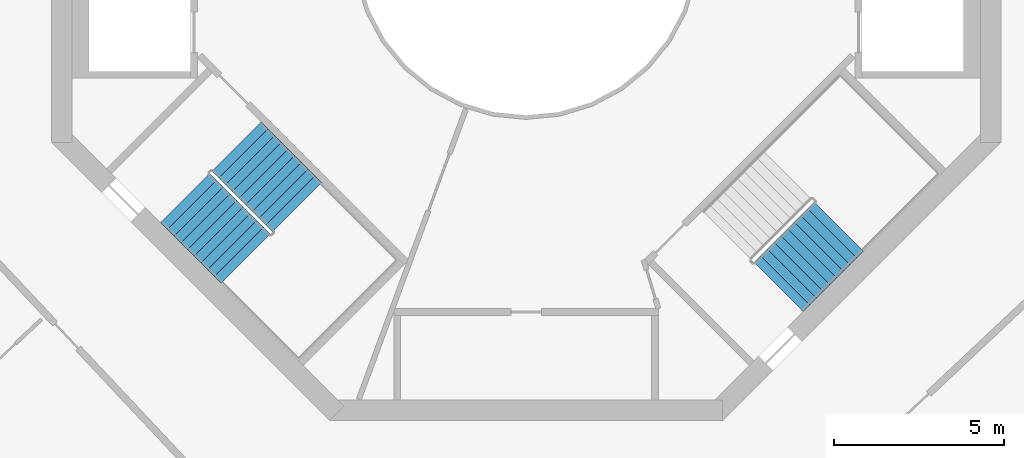
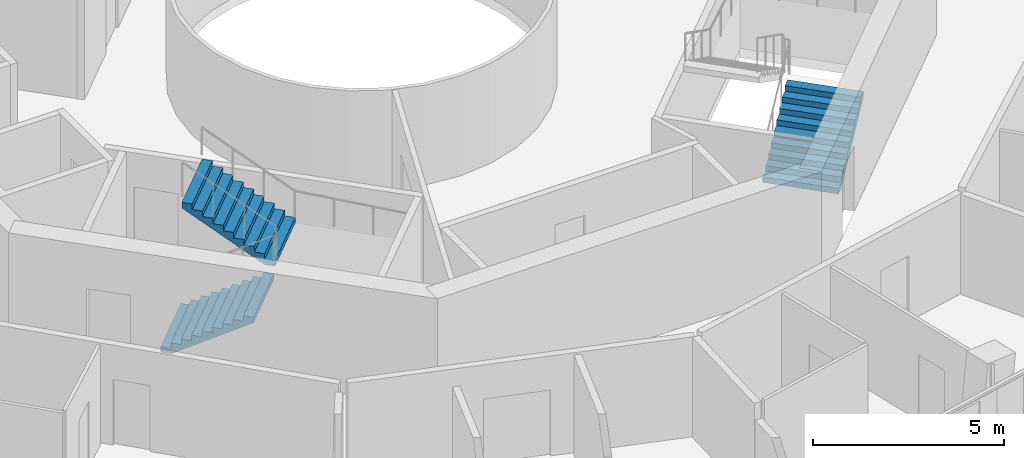
# One storey, part 22 of 24: 3 stair flights, 2 elements without a shape of their own.
"""IFC4 building model written with IfcOpenShell, lengths in metres."""

from ifc_helpers import new_model, si_unit, direction, frame, origin, place, context, subcontext, project, spatial, triangles, material, type_object, element, aggregate, save


model = new_model("IFC4")

# Units and contexts
model_context = context("Model", 3, precision=1e-05, world=origin(), true_north=direction((0.0, 1.0)))
body_context = subcontext(model_context, "Body", "Model", "MODEL_VIEW")
ifc_project = project(units=[si_unit("LENGTHUNIT", "METRE"), si_unit("AREAUNIT", "SQUARE_METRE"), si_unit("VOLUMEUNIT", "CUBIC_METRE"), si_unit("PLANEANGLEUNIT", "RADIAN"), si_unit("MASSUNIT", "GRAM", prefix="KILO")], contexts=[model_context])

# Site, building, storey
site_placement = place(None, origin())
site = spatial("IfcSite", under=ifc_project, at=site_placement, CompositionType="ELEMENT")
building_placement = place(site_placement, origin())
building = spatial("IfcBuilding", under=site, at=building_placement, Name="Verdalira Terraces Hotel", CompositionType="ELEMENT")
storey_placement = place(building_placement, frame((0.0, 0.0, 209.0)))
storey = spatial("IfcBuildingStorey", under=building, at=storey_placement, Name="L51", CompositionType="ELEMENT", Elevation=209.0)

# Stair, stair flights
ifc_material_1 = material(Name="Concrete C40", Category="concrete")
stair_type = type_object("IfcStairType", Name="Core stair 20 risers 2050 mm wide", PredefinedType="HALF_TURN_STAIR", material=ifc_material_1)
stair_1_placement = place(storey_placement, origin())
stair_1 = element("IfcStair", 1, at=stair_1_placement, inside=storey, type_object=stair_type, Name="L51 Exit stair ST2", PredefinedType="HALF_TURN_STAIR")
ifc_material_2 = material(Name="Concrete C40", Category="concrete")
stair_flight_type = type_object("IfcStairFlightType", Name="Core stair flight 20 risers 2050 mm wide", PredefinedType="STRAIGHT", material=ifc_material_2)
stair_flight_1_placement = place(storey_placement, frame((-10.058594, -7.442383, 0.0), z_axis=(0.0, 0.0, 1.0), x_axis=(0.707106781, -0.707106781, 0.0)))
stair_flight_1 = element("IfcStairFlight", 2, at=stair_flight_1_placement, type_object=stair_flight_type, Name="ST2 flight 1", NumberOfRisers=10, NumberOfTreads=9, PredefinedType="STRAIGHT", RiserHeight=0.175, TreadLength=0.28, context=body_context, shape_type="Tessellation", body=[
    triangles([(0.0, 1.025024, 0.0), (0.282715, 1.025024, 0.0), (2.52002, 1.025024, 1.398193), (0.0, -1.025024, 0.0), (0.282715, -1.025024, 0.0), (2.52002, -1.025024, 1.398193), (2.52002, 1.025024, 1.574951), (2.23999, 1.025024, 1.574951), (2.52002, -1.025024, 1.574951), (2.23999, -1.025024, 1.574951), (2.23999, 1.025024, 1.399902), (2.23999, -1.025024, 1.399902), (1.959961, 1.025024, 1.399902), (1.959961, -1.025024, 1.399902), (1.959961, 1.025024, 1.225098), (1.959961, -1.025024, 1.225098), (1.679932, 1.025024, 1.225098), (1.679932, 1.025024, 1.050049), (1.679932, -1.025024, 1.225098), (1.679932, -1.025024, 1.050049), (1.399902, 1.025024, 1.050049), (1.399902, 1.025024, 0.875), (1.399902, -1.025024, 1.050049), (1.399902, -1.025024, 0.875), (1.120117, 1.025024, 0.875), (1.120117, 1.025024, 0.699951), (1.120117, -1.025024, 0.875), (1.120117, -1.025024, 0.699951), (0.840088, 1.025024, 0.699951), (0.840088, 1.025024, 0.524902), (0.840088, -1.025024, 0.699951), (0.840088, -1.025024, 0.524902), (0.560059, 1.025024, 0.524902), (0.560059, 1.025024, 0.350098), (0.560059, -1.025024, 0.524902), (0.560059, -1.025024, 0.350098), (0.280029, 1.025024, 0.350098), (0.280029, 1.025024, 0.175049), (0.280029, -1.025024, 0.350098), (0.280029, -1.025024, 0.175049), (0.0, 1.025024, 0.175049), (0.0, -1.025024, 0.175049), (0.0, -0.96096, 0.0), (0.0, -0.96096, 0.175049), (0.0, -0.896896, 0.0), (0.0, -0.896896, 0.175049), (0.0, -0.832832, 0.0), (0.0, -0.832832, 0.175049), (0.0, -0.768768, 0.0), (0.0, -0.768768, 0.175049), (0.0, -0.704704, 0.0), (0.0, -0.704704, 0.175049), (0.0, -0.64064, 0.0), (0.0, -0.64064, 0.175049), (0.0, -0.576576, 0.0), (0.0, -0.576576, 0.175049), (0.0, -0.512512, 0.0), (0.0, -0.512512, 0.175049), (0.0, -0.448448, 0.0), (0.0, -0.448448, 0.175049), (0.0, -0.384384, 0.0), (0.0, -0.384384, 0.175049), (0.0, -0.32032, 0.0), (0.0, -0.32032, 0.175049), (0.0, -0.256256, 0.0), (0.0, -0.256256, 0.175049), (0.0, -0.192192, 0.0), (0.0, -0.192192, 0.175049), (0.0, -0.128128, 0.0), (0.0, -0.128128, 0.175049), (0.0, -0.064064, 0.0), (0.0, -0.064064, 0.175049), (0.0, 0.0, 0.0), (0.0, 0.0, 0.175049), (0.0, 0.064064, 0.0), (0.0, 0.064064, 0.175049), (0.0, 0.128128, 0.0), (0.0, 0.128128, 0.175049), (0.0, 0.192192, 0.0), (0.0, 0.192192, 0.175049), (0.0, 0.256256, 0.0), (0.0, 0.256256, 0.175049), (0.0, 0.32032, 0.0), (0.0, 0.32032, 0.175049), (0.0, 0.384384, 0.0), (0.0, 0.384384, 0.175049), (0.0, 0.448448, 0.0), (0.0, 0.448448, 0.175049), (0.0, 0.512512, 0.0), (0.0, 0.512512, 0.175049), (0.0, 0.576576, 0.0), (0.0, 0.576576, 0.175049), (0.0, 0.64064, 0.0), (0.0, 0.64064, 0.175049), (0.0, 0.704704, 0.0), (0.0, 0.704704, 0.175049), (0.0, 0.768768, 0.0), (0.0, 0.768768, 0.175049), (0.0, 0.832832, 0.0), (0.0, 0.832832, 0.175049), (0.0, 0.896896, 0.0), (0.0, 0.896896, 0.175049), (0.0, 0.96096, 0.0), (0.0, 0.96096, 0.175049), (2.52002, -0.96096, 1.574951), (2.52002, -0.896896, 1.574951), (2.52002, -0.832832, 1.574951), (2.52002, -0.768768, 1.574951), (2.52002, -0.704704, 1.574951), (2.52002, -0.64064, 1.574951), (2.52002, -0.576576, 1.574951), (2.52002, -0.512512, 1.574951), (2.52002, -0.448448, 1.574951), (2.52002, -0.384384, 1.574951), (2.52002, -0.32032, 1.574951), (2.52002, -0.256256, 1.574951), (2.52002, -0.192192, 1.574951), (2.52002, -0.128128, 1.574951), (2.52002, -0.064064, 1.574951), (2.52002, 0.0, 1.574951), (2.52002, 0.064064, 1.574951), (2.52002, 0.128128, 1.574951), (2.52002, 0.192192, 1.574951), (2.52002, 0.256256, 1.574951), (2.52002, 0.32032, 1.574951), (2.52002, 0.384384, 1.574951), (2.52002, 0.448448, 1.574951), (2.52002, 0.512512, 1.574951), (2.52002, 0.576576, 1.574951), (2.52002, 0.64064, 1.574951), (2.52002, 0.704704, 1.574951), (2.52002, 0.768768, 1.574951), (2.52002, 0.832832, 1.574951), (2.52002, 0.896896, 1.574951), (2.52002, 0.96096, 1.574951), (2.52002, -0.96096, 1.398193), (2.52002, -0.896896, 1.398193), (2.52002, -0.832832, 1.398193), (2.52002, -0.768768, 1.398193), (2.52002, -0.704704, 1.398193), (2.52002, -0.64064, 1.398193), (2.52002, -0.576576, 1.398193), (2.52002, -0.512512, 1.398193), (2.52002, -0.448448, 1.398193), (2.52002, -0.384384, 1.398193), (2.52002, -0.32032, 1.398193), (2.52002, -0.256256, 1.398193), (2.52002, -0.192192, 1.398193), (2.52002, -0.128128, 1.398193), (2.52002, -0.064064, 1.398193), (2.52002, 0.0, 1.398193), (2.52002, 0.064064, 1.398193), (2.52002, 0.128128, 1.398193), (2.52002, 0.192192, 1.398193), (2.52002, 0.256256, 1.398193), (2.52002, 0.32032, 1.398193), (2.52002, 0.384384, 1.398193), (2.52002, 0.448448, 1.398193), (2.52002, 0.512512, 1.398193), (2.52002, 0.576576, 1.398193), (2.52002, 0.64064, 1.398193), (2.52002, 0.704704, 1.398193), (2.52002, 0.768768, 1.398193), (2.52002, 0.832832, 1.398193), (2.52002, 0.896896, 1.398193), (2.52002, 0.96096, 1.398193)], [[1, 3, 2], [4, 5, 6], [3, 8, 7], [6, 9, 10], [3, 11, 8], [6, 10, 12], [3, 13, 11], [6, 12, 14], [3, 15, 13], [6, 14, 16], [15, 18, 17], [16, 19, 20], [3, 18, 15], [6, 16, 20], [18, 22, 21], [20, 23, 24], [3, 22, 18], [6, 20, 24], [22, 26, 25], [24, 27, 28], [3, 26, 22], [6, 24, 28], [26, 30, 29], [28, 31, 32], [3, 30, 26], [6, 28, 32], [1, 30, 3], [4, 6, 32], [30, 34, 33], [32, 35, 36], [34, 38, 37], [36, 39, 40], [30, 38, 34], [32, 36, 40], [1, 38, 30], [4, 32, 40], [38, 1, 41], [40, 42, 4], [4, 44, 43], [4, 42, 44], [43, 46, 45], [43, 44, 46], [45, 48, 47], [45, 46, 48], [47, 50, 49], [47, 48, 50], [49, 52, 51], [49, 50, 52], [51, 54, 53], [51, 52, 54], [53, 56, 55], [53, 54, 56], [55, 58, 57], [55, 56, 58], [57, 60, 59], [57, 58, 60], [59, 62, 61], [59, 60, 62], [61, 64, 63], [61, 62, 64], [63, 66, 65], [63, 64, 66], [65, 68, 67], [65, 66, 68], [67, 70, 69], [67, 68, 70], [69, 72, 71], [69, 70, 72], [71, 74, 73], [71, 72, 74], [73, 76, 75], [73, 74, 76], [75, 78, 77], [75, 76, 78], [77, 80, 79], [77, 78, 80], [79, 82, 81], [79, 80, 82], [81, 84, 83], [81, 82, 84], [83, 86, 85], [83, 84, 86], [85, 88, 87], [85, 86, 88], [87, 90, 89], [87, 88, 90], [89, 92, 91], [89, 90, 92], [91, 94, 93], [91, 92, 94], [93, 96, 95], [93, 94, 96], [95, 98, 97], [95, 96, 98], [97, 100, 99], [97, 98, 100], [99, 102, 101], [99, 100, 102], [101, 104, 103], [101, 102, 104], [103, 41, 1], [103, 104, 41], [42, 40, 44], [44, 40, 46], [46, 40, 48], [48, 40, 50], [50, 40, 52], [52, 40, 54], [54, 40, 56], [56, 40, 58], [58, 40, 60], [60, 40, 62], [62, 40, 64], [64, 40, 66], [66, 40, 68], [68, 40, 70], [70, 40, 72], [72, 40, 74], [74, 40, 76], [76, 40, 78], [78, 40, 80], [80, 40, 82], [82, 40, 84], [84, 40, 86], [86, 40, 88], [88, 40, 90], [90, 40, 92], [92, 40, 94], [94, 40, 96], [96, 40, 98], [98, 40, 100], [100, 40, 102], [102, 40, 104], [104, 40, 41], [41, 40, 38], [40, 37, 38], [40, 39, 37], [39, 34, 37], [39, 36, 34], [36, 33, 34], [36, 35, 33], [35, 30, 33], [35, 32, 30], [32, 29, 30], [32, 31, 29], [31, 26, 29], [31, 28, 26], [28, 25, 26], [28, 27, 25], [27, 22, 25], [27, 24, 22], [24, 21, 22], [24, 23, 21], [23, 18, 21], [23, 20, 18], [20, 17, 18], [20, 19, 17], [19, 15, 17], [19, 16, 15], [16, 13, 15], [16, 14, 13], [14, 11, 13], [14, 12, 11], [12, 8, 11], [12, 10, 8], [9, 105, 10], [105, 106, 10], [106, 107, 10], [107, 108, 10], [108, 109, 10], [109, 110, 10], [110, 111, 10], [111, 112, 10], [112, 113, 10], [113, 114, 10], [114, 115, 10], [115, 116, 10], [116, 117, 10], [117, 118, 10], [118, 119, 10], [119, 120, 10], [120, 121, 10], [121, 122, 10], [122, 123, 10], [123, 124, 10], [124, 125, 10], [125, 126, 10], [126, 127, 10], [127, 128, 10], [128, 129, 10], [129, 130, 10], [130, 131, 10], [131, 132, 10], [132, 133, 10], [133, 134, 10], [134, 135, 10], [135, 7, 10], [7, 8, 10], [9, 136, 105], [9, 6, 136], [105, 137, 106], [105, 136, 137], [106, 138, 107], [106, 137, 138], [107, 139, 108], [107, 138, 139], [108, 140, 109], [108, 139, 140], [109, 141, 110], [109, 140, 141], [110, 142, 111], [110, 141, 142], [111, 143, 112], [111, 142, 143], [112, 144, 113], [112, 143, 144], [113, 145, 114], [113, 144, 145], [114, 146, 115], [114, 145, 146], [115, 147, 116], [115, 146, 147], [116, 148, 117], [116, 147, 148], [117, 149, 118], [117, 148, 149], [118, 150, 119], [118, 149, 150], [119, 151, 120], [119, 150, 151], [120, 152, 121], [120, 151, 152], [121, 153, 122], [121, 152, 153], [122, 154, 123], [122, 153, 154], [123, 155, 124], [123, 154, 155], [124, 156, 125], [124, 155, 156], [125, 157, 126], [125, 156, 157], [126, 158, 127], [126, 157, 158], [127, 159, 128], [127, 158, 159], [128, 160, 129], [128, 159, 160], [129, 161, 130], [129, 160, 161], [130, 162, 131], [130, 161, 162], [131, 163, 132], [131, 162, 163], [132, 164, 133], [132, 163, 164], [133, 165, 134], [133, 164, 165], [134, 166, 135], [134, 165, 166], [135, 3, 7], [135, 166, 3], [6, 5, 136], [136, 5, 137], [137, 5, 138], [138, 5, 139], [139, 5, 140], [140, 5, 141], [141, 5, 142], [142, 5, 143], [143, 5, 144], [144, 5, 145], [145, 5, 146], [146, 5, 147], [147, 5, 148], [148, 5, 149], [149, 5, 150], [150, 5, 151], [151, 5, 152], [152, 5, 153], [153, 5, 154], [154, 5, 155], [155, 5, 156], [156, 5, 157], [157, 5, 158], [158, 5, 159], [159, 5, 160], [160, 5, 161], [161, 5, 162], [162, 5, 163], [163, 5, 164], [164, 5, 165], [165, 5, 166], [166, 5, 3], [3, 5, 2], [4, 43, 5], [43, 45, 5], [45, 47, 5], [47, 49, 5], [49, 51, 5], [51, 53, 5], [53, 55, 5], [55, 57, 5], [57, 59, 5], [59, 61, 5], [61, 63, 5], [63, 65, 5], [65, 67, 5], [67, 69, 5], [69, 71, 5], [71, 73, 5], [73, 75, 5], [75, 77, 5], [77, 79, 5], [79, 81, 5], [81, 83, 5], [83, 85, 5], [85, 87, 5], [87, 89, 5], [89, 91, 5], [91, 93, 5], [93, 95, 5], [95, 97, 5], [97, 99, 5], [99, 101, 5], [101, 103, 5], [103, 1, 5], [1, 2, 5]], closed=True),
])
stair_flight_2_placement = place(storey_placement, frame((-6.756348, -7.703857, 1.75), z_axis=(0.0, 0.0, 1.0), x_axis=(-0.707106781, 0.707106781, 0.0)))
stair_flight_2 = element("IfcStairFlight", 3, at=stair_flight_2_placement, type_object=stair_flight_type, Name="ST2 flight 2", NumberOfRisers=10, NumberOfTreads=9, PredefinedType="STRAIGHT", RiserHeight=0.175, TreadLength=0.28, context=body_context, shape_type="Tessellation", body=[
    triangles([(0.0, 1.025024, 0.0), (0.282715, 1.025024, 0.0), (2.52002, 1.025024, 1.398193), (0.0, -1.025024, 0.0), (0.282715, -1.025024, 0.0), (2.52002, -1.025024, 1.398193), (2.52002, 1.025024, 1.574951), (2.23999, 1.025024, 1.574951), (2.52002, -1.025024, 1.574951), (2.23999, -1.025024, 1.574951), (2.23999, 1.025024, 1.399902), (2.23999, -1.025024, 1.399902), (1.959961, 1.025024, 1.399902), (1.959961, -1.025024, 1.399902), (1.959961, 1.025024, 1.225098), (1.959961, -1.025024, 1.225098), (1.679932, 1.025024, 1.225098), (1.679932, 1.025024, 1.050049), (1.679932, -1.025024, 1.225098), (1.679932, -1.025024, 1.050049), (1.399902, 1.025024, 1.050049), (1.399902, 1.025024, 0.875), (1.399902, -1.025024, 1.050049), (1.399902, -1.025024, 0.875), (1.120117, 1.025024, 0.875), (1.120117, 1.025024, 0.699951), (1.120117, -1.025024, 0.875), (1.120117, -1.025024, 0.699951), (0.840088, 1.025024, 0.699951), (0.840088, 1.025024, 0.524902), (0.840088, -1.025024, 0.699951), (0.840088, -1.025024, 0.524902), (0.560059, 1.025024, 0.524902), (0.560059, 1.025024, 0.350098), (0.560059, -1.025024, 0.524902), (0.560059, -1.025024, 0.350098), (0.280029, 1.025024, 0.350098), (0.280029, 1.025024, 0.175049), (0.280029, -1.025024, 0.350098), (0.280029, -1.025024, 0.175049), (0.0, 1.025024, 0.175049), (0.0, -1.025024, 0.175049), (0.0, -0.96096, 0.0), (0.0, -0.96096, 0.175049), (0.0, -0.896896, 0.0), (0.0, -0.896896, 0.175049), (0.0, -0.832832, 0.0), (0.0, -0.832832, 0.175049), (0.0, -0.768768, 0.0), (0.0, -0.768768, 0.175049), (0.0, -0.704704, 0.0), (0.0, -0.704704, 0.175049), (0.0, -0.64064, 0.0), (0.0, -0.64064, 0.175049), (0.0, -0.576576, 0.0), (0.0, -0.576576, 0.175049), (0.0, -0.512512, 0.0), (0.0, -0.512512, 0.175049), (0.0, -0.448448, 0.0), (0.0, -0.448448, 0.175049), (0.0, -0.384384, 0.0), (0.0, -0.384384, 0.175049), (0.0, -0.32032, 0.0), (0.0, -0.32032, 0.175049), (0.0, -0.256256, 0.0), (0.0, -0.256256, 0.175049), (0.0, -0.192192, 0.0), (0.0, -0.192192, 0.175049), (0.0, -0.128128, 0.0), (0.0, -0.128128, 0.175049), (0.0, -0.064064, 0.0), (0.0, -0.064064, 0.175049), (0.0, 0.0, 0.0), (0.0, 0.0, 0.175049), (0.0, 0.064064, 0.0), (0.0, 0.064064, 0.175049), (0.0, 0.128128, 0.0), (0.0, 0.128128, 0.175049), (0.0, 0.192192, 0.0), (0.0, 0.192192, 0.175049), (0.0, 0.256256, 0.0), (0.0, 0.256256, 0.175049), (0.0, 0.32032, 0.0), (0.0, 0.32032, 0.175049), (0.0, 0.384384, 0.0), (0.0, 0.384384, 0.175049), (0.0, 0.448448, 0.0), (0.0, 0.448448, 0.175049), (0.0, 0.512512, 0.0), (0.0, 0.512512, 0.175049), (0.0, 0.576576, 0.0), (0.0, 0.576576, 0.175049), (0.0, 0.64064, 0.0), (0.0, 0.64064, 0.175049), (0.0, 0.704704, 0.0), (0.0, 0.704704, 0.175049), (0.0, 0.768768, 0.0), (0.0, 0.768768, 0.175049), (0.0, 0.832832, 0.0), (0.0, 0.832832, 0.175049), (0.0, 0.896896, 0.0), (0.0, 0.896896, 0.175049), (0.0, 0.96096, 0.0), (0.0, 0.96096, 0.175049), (2.52002, -0.96096, 1.574951), (2.52002, -0.896896, 1.574951), (2.52002, -0.832832, 1.574951), (2.52002, -0.768768, 1.574951), (2.52002, -0.704704, 1.574951), (2.52002, -0.64064, 1.574951), (2.52002, -0.576576, 1.574951), (2.52002, -0.512512, 1.574951), (2.52002, -0.448448, 1.574951), (2.52002, -0.384384, 1.574951), (2.52002, -0.32032, 1.574951), (2.52002, -0.256256, 1.574951), (2.52002, -0.192192, 1.574951), (2.52002, -0.128128, 1.574951), (2.52002, -0.064064, 1.574951), (2.52002, 0.0, 1.574951), (2.52002, 0.064064, 1.574951), (2.52002, 0.128128, 1.574951), (2.52002, 0.192192, 1.574951), (2.52002, 0.256256, 1.574951), (2.52002, 0.32032, 1.574951), (2.52002, 0.384384, 1.574951), (2.52002, 0.448448, 1.574951), (2.52002, 0.512512, 1.574951), (2.52002, 0.576576, 1.574951), (2.52002, 0.64064, 1.574951), (2.52002, 0.704704, 1.574951), (2.52002, 0.768768, 1.574951), (2.52002, 0.832832, 1.574951), (2.52002, 0.896896, 1.574951), (2.52002, 0.96096, 1.574951), (2.52002, -0.96096, 1.398193), (2.52002, -0.896896, 1.398193), (2.52002, -0.832832, 1.398193), (2.52002, -0.768768, 1.398193), (2.52002, -0.704704, 1.398193), (2.52002, -0.64064, 1.398193), (2.52002, -0.576576, 1.398193), (2.52002, -0.512512, 1.398193), (2.52002, -0.448448, 1.398193), (2.52002, -0.384384, 1.398193), (2.52002, -0.32032, 1.398193), (2.52002, -0.256256, 1.398193), (2.52002, -0.192192, 1.398193), (2.52002, -0.128128, 1.398193), (2.52002, -0.064064, 1.398193), (2.52002, 0.0, 1.398193), (2.52002, 0.064064, 1.398193), (2.52002, 0.128128, 1.398193), (2.52002, 0.192192, 1.398193), (2.52002, 0.256256, 1.398193), (2.52002, 0.32032, 1.398193), (2.52002, 0.384384, 1.398193), (2.52002, 0.448448, 1.398193), (2.52002, 0.512512, 1.398193), (2.52002, 0.576576, 1.398193), (2.52002, 0.64064, 1.398193), (2.52002, 0.704704, 1.398193), (2.52002, 0.768768, 1.398193), (2.52002, 0.832832, 1.398193), (2.52002, 0.896896, 1.398193), (2.52002, 0.96096, 1.398193)], [[1, 3, 2], [4, 5, 6], [3, 8, 7], [6, 9, 10], [3, 11, 8], [6, 10, 12], [3, 13, 11], [6, 12, 14], [3, 15, 13], [6, 14, 16], [15, 18, 17], [16, 19, 20], [3, 18, 15], [6, 16, 20], [18, 22, 21], [20, 23, 24], [3, 22, 18], [6, 20, 24], [22, 26, 25], [24, 27, 28], [3, 26, 22], [6, 24, 28], [26, 30, 29], [28, 31, 32], [3, 30, 26], [6, 28, 32], [1, 30, 3], [4, 6, 32], [30, 34, 33], [32, 35, 36], [34, 38, 37], [36, 39, 40], [30, 38, 34], [32, 36, 40], [1, 38, 30], [4, 32, 40], [38, 1, 41], [40, 42, 4], [4, 44, 43], [4, 42, 44], [43, 46, 45], [43, 44, 46], [45, 48, 47], [45, 46, 48], [47, 50, 49], [47, 48, 50], [49, 52, 51], [49, 50, 52], [51, 54, 53], [51, 52, 54], [53, 56, 55], [53, 54, 56], [55, 58, 57], [55, 56, 58], [57, 60, 59], [57, 58, 60], [59, 62, 61], [59, 60, 62], [61, 64, 63], [61, 62, 64], [63, 66, 65], [63, 64, 66], [65, 68, 67], [65, 66, 68], [67, 70, 69], [67, 68, 70], [69, 72, 71], [69, 70, 72], [71, 74, 73], [71, 72, 74], [73, 76, 75], [73, 74, 76], [75, 78, 77], [75, 76, 78], [77, 80, 79], [77, 78, 80], [79, 82, 81], [79, 80, 82], [81, 84, 83], [81, 82, 84], [83, 86, 85], [83, 84, 86], [85, 88, 87], [85, 86, 88], [87, 90, 89], [87, 88, 90], [89, 92, 91], [89, 90, 92], [91, 94, 93], [91, 92, 94], [93, 96, 95], [93, 94, 96], [95, 98, 97], [95, 96, 98], [97, 100, 99], [97, 98, 100], [99, 102, 101], [99, 100, 102], [101, 104, 103], [101, 102, 104], [103, 41, 1], [103, 104, 41], [42, 40, 44], [44, 40, 46], [46, 40, 48], [48, 40, 50], [50, 40, 52], [52, 40, 54], [54, 40, 56], [56, 40, 58], [58, 40, 60], [60, 40, 62], [62, 40, 64], [64, 40, 66], [66, 40, 68], [68, 40, 70], [70, 40, 72], [72, 40, 74], [74, 40, 76], [76, 40, 78], [78, 40, 80], [80, 40, 82], [82, 40, 84], [84, 40, 86], [86, 40, 88], [88, 40, 90], [90, 40, 92], [92, 40, 94], [94, 40, 96], [96, 40, 98], [98, 40, 100], [100, 40, 102], [102, 40, 104], [104, 40, 41], [41, 40, 38], [40, 37, 38], [40, 39, 37], [39, 34, 37], [39, 36, 34], [36, 33, 34], [36, 35, 33], [35, 30, 33], [35, 32, 30], [32, 29, 30], [32, 31, 29], [31, 26, 29], [31, 28, 26], [28, 25, 26], [28, 27, 25], [27, 22, 25], [27, 24, 22], [24, 21, 22], [24, 23, 21], [23, 18, 21], [23, 20, 18], [20, 17, 18], [20, 19, 17], [19, 15, 17], [19, 16, 15], [16, 13, 15], [16, 14, 13], [14, 11, 13], [14, 12, 11], [12, 8, 11], [12, 10, 8], [9, 105, 10], [105, 106, 10], [106, 107, 10], [107, 108, 10], [108, 109, 10], [109, 110, 10], [110, 111, 10], [111, 112, 10], [112, 113, 10], [113, 114, 10], [114, 115, 10], [115, 116, 10], [116, 117, 10], [117, 118, 10], [118, 119, 10], [119, 120, 10], [120, 121, 10], [121, 122, 10], [122, 123, 10], [123, 124, 10], [124, 125, 10], [125, 126, 10], [126, 127, 10], [127, 128, 10], [128, 129, 10], [129, 130, 10], [130, 131, 10], [131, 132, 10], [132, 133, 10], [133, 134, 10], [134, 135, 10], [135, 7, 10], [7, 8, 10], [9, 136, 105], [9, 6, 136], [105, 137, 106], [105, 136, 137], [106, 138, 107], [106, 137, 138], [107, 139, 108], [107, 138, 139], [108, 140, 109], [108, 139, 140], [109, 141, 110], [109, 140, 141], [110, 142, 111], [110, 141, 142], [111, 143, 112], [111, 142, 143], [112, 144, 113], [112, 143, 144], [113, 145, 114], [113, 144, 145], [114, 146, 115], [114, 145, 146], [115, 147, 116], [115, 146, 147], [116, 148, 117], [116, 147, 148], [117, 149, 118], [117, 148, 149], [118, 150, 119], [118, 149, 150], [119, 151, 120], [119, 150, 151], [120, 152, 121], [120, 151, 152], [121, 153, 122], [121, 152, 153], [122, 154, 123], [122, 153, 154], [123, 155, 124], [123, 154, 155], [124, 156, 125], [124, 155, 156], [125, 157, 126], [125, 156, 157], [126, 158, 127], [126, 157, 158], [127, 159, 128], [127, 158, 159], [128, 160, 129], [128, 159, 160], [129, 161, 130], [129, 160, 161], [130, 162, 131], [130, 161, 162], [131, 163, 132], [131, 162, 163], [132, 164, 133], [132, 163, 164], [133, 165, 134], [133, 164, 165], [134, 166, 135], [134, 165, 166], [135, 3, 7], [135, 166, 3], [6, 5, 136], [136, 5, 137], [137, 5, 138], [138, 5, 139], [139, 5, 140], [140, 5, 141], [141, 5, 142], [142, 5, 143], [143, 5, 144], [144, 5, 145], [145, 5, 146], [146, 5, 147], [147, 5, 148], [148, 5, 149], [149, 5, 150], [150, 5, 151], [151, 5, 152], [152, 5, 153], [153, 5, 154], [154, 5, 155], [155, 5, 156], [156, 5, 157], [157, 5, 158], [158, 5, 159], [159, 5, 160], [160, 5, 161], [161, 5, 162], [162, 5, 163], [163, 5, 164], [164, 5, 165], [165, 5, 166], [166, 5, 3], [3, 5, 2], [4, 43, 5], [43, 45, 5], [45, 47, 5], [47, 49, 5], [49, 51, 5], [51, 53, 5], [53, 55, 5], [55, 57, 5], [57, 59, 5], [59, 61, 5], [61, 63, 5], [63, 65, 5], [65, 67, 5], [67, 69, 5], [69, 71, 5], [71, 73, 5], [73, 75, 5], [75, 77, 5], [77, 79, 5], [79, 81, 5], [81, 83, 5], [83, 85, 5], [85, 87, 5], [87, 89, 5], [89, 91, 5], [91, 93, 5], [93, 95, 5], [95, 97, 5], [97, 99, 5], [99, 101, 5], [101, 103, 5], [103, 1, 5], [1, 2, 5]], closed=True),
])
aggregate(stair_1, [stair_flight_1, stair_flight_2])

# Stair, stair flight
stair_2_placement = place(storey_placement, origin())
stair_2 = element("IfcStair", 4, at=stair_2_placement, inside=storey, type_object=stair_type, Name="L51 Exit stair ST3", PredefinedType="HALF_TURN_STAIR")
stair_flight_3_placement = place(storey_placement, frame((7.442383, -10.058594, 0.0), z_axis=(0.0, 0.0, 1.0), x_axis=(0.707106781, 0.707106781, 0.0)))
stair_flight_3 = element("IfcStairFlight", 5, at=stair_flight_3_placement, type_object=stair_flight_type, Name="ST3 flight 1", NumberOfRisers=10, NumberOfTreads=9, PredefinedType="STRAIGHT", RiserHeight=0.175, TreadLength=0.28, context=body_context, shape_type="Tessellation", body=[
    triangles([(0.0, 1.025024, 0.0), (0.282715, 1.025024, 0.0), (2.52002, 1.025024, 1.398193), (0.0, -1.025024, 0.0), (0.282715, -1.025024, 0.0), (2.52002, -1.025024, 1.398193), (2.52002, 1.025024, 1.574951), (2.23999, 1.025024, 1.574951), (2.52002, -1.025024, 1.574951), (2.23999, -1.025024, 1.574951), (2.23999, 1.025024, 1.399902), (2.23999, -1.025024, 1.399902), (1.959961, 1.025024, 1.399902), (1.959961, -1.025024, 1.399902), (1.959961, 1.025024, 1.225098), (1.959961, -1.025024, 1.225098), (1.679932, 1.025024, 1.225098), (1.679932, 1.025024, 1.050049), (1.679932, -1.025024, 1.225098), (1.679932, -1.025024, 1.050049), (1.399902, 1.025024, 1.050049), (1.399902, 1.025024, 0.875), (1.399902, -1.025024, 1.050049), (1.399902, -1.025024, 0.875), (1.120117, 1.025024, 0.875), (1.120117, 1.025024, 0.699951), (1.120117, -1.025024, 0.875), (1.120117, -1.025024, 0.699951), (0.840088, 1.025024, 0.699951), (0.840088, 1.025024, 0.524902), (0.840088, -1.025024, 0.699951), (0.840088, -1.025024, 0.524902), (0.560059, 1.025024, 0.524902), (0.560059, 1.025024, 0.350098), (0.560059, -1.025024, 0.524902), (0.560059, -1.025024, 0.350098), (0.280029, 1.025024, 0.350098), (0.280029, 1.025024, 0.175049), (0.280029, -1.025024, 0.350098), (0.280029, -1.025024, 0.175049), (0.0, 1.025024, 0.175049), (0.0, -1.025024, 0.175049), (0.0, -0.96096, 0.0), (0.0, -0.96096, 0.175049), (0.0, -0.896896, 0.0), (0.0, -0.896896, 0.175049), (0.0, -0.832832, 0.0), (0.0, -0.832832, 0.175049), (0.0, -0.768768, 0.0), (0.0, -0.768768, 0.175049), (0.0, -0.704704, 0.0), (0.0, -0.704704, 0.175049), (0.0, -0.64064, 0.0), (0.0, -0.64064, 0.175049), (0.0, -0.576576, 0.0), (0.0, -0.576576, 0.175049), (0.0, -0.512512, 0.0), (0.0, -0.512512, 0.175049), (0.0, -0.448448, 0.0), (0.0, -0.448448, 0.175049), (0.0, -0.384384, 0.0), (0.0, -0.384384, 0.175049), (0.0, -0.32032, 0.0), (0.0, -0.32032, 0.175049), (0.0, -0.256256, 0.0), (0.0, -0.256256, 0.175049), (0.0, -0.192192, 0.0), (0.0, -0.192192, 0.175049), (0.0, -0.128128, 0.0), (0.0, -0.128128, 0.175049), (0.0, -0.064064, 0.0), (0.0, -0.064064, 0.175049), (0.0, 0.0, 0.0), (0.0, 0.0, 0.175049), (0.0, 0.064064, 0.0), (0.0, 0.064064, 0.175049), (0.0, 0.128128, 0.0), (0.0, 0.128128, 0.175049), (0.0, 0.192192, 0.0), (0.0, 0.192192, 0.175049), (0.0, 0.256256, 0.0), (0.0, 0.256256, 0.175049), (0.0, 0.32032, 0.0), (0.0, 0.32032, 0.175049), (0.0, 0.384384, 0.0), (0.0, 0.384384, 0.175049), (0.0, 0.448448, 0.0), (0.0, 0.448448, 0.175049), (0.0, 0.512512, 0.0), (0.0, 0.512512, 0.175049), (0.0, 0.576576, 0.0), (0.0, 0.576576, 0.175049), (0.0, 0.64064, 0.0), (0.0, 0.64064, 0.175049), (0.0, 0.704704, 0.0), (0.0, 0.704704, 0.175049), (0.0, 0.768768, 0.0), (0.0, 0.768768, 0.175049), (0.0, 0.832832, 0.0), (0.0, 0.832832, 0.175049), (0.0, 0.896896, 0.0), (0.0, 0.896896, 0.175049), (0.0, 0.96096, 0.0), (0.0, 0.96096, 0.175049), (2.52002, -0.96096, 1.574951), (2.52002, -0.896896, 1.574951), (2.52002, -0.832832, 1.574951), (2.52002, -0.768768, 1.574951), (2.52002, -0.704704, 1.574951), (2.52002, -0.64064, 1.574951), (2.52002, -0.576576, 1.574951), (2.52002, -0.512512, 1.574951), (2.52002, -0.448448, 1.574951), (2.52002, -0.384384, 1.574951), (2.52002, -0.32032, 1.574951), (2.52002, -0.256256, 1.574951), (2.52002, -0.192192, 1.574951), (2.52002, -0.128128, 1.574951), (2.52002, -0.064064, 1.574951), (2.52002, 0.0, 1.574951), (2.52002, 0.064064, 1.574951), (2.52002, 0.128128, 1.574951), (2.52002, 0.192192, 1.574951), (2.52002, 0.256256, 1.574951), (2.52002, 0.32032, 1.574951), (2.52002, 0.384384, 1.574951), (2.52002, 0.448448, 1.574951), (2.52002, 0.512512, 1.574951), (2.52002, 0.576576, 1.574951), (2.52002, 0.64064, 1.574951), (2.52002, 0.704704, 1.574951), (2.52002, 0.768768, 1.574951), (2.52002, 0.832832, 1.574951), (2.52002, 0.896896, 1.574951), (2.52002, 0.96096, 1.574951), (2.52002, -0.96096, 1.398193), (2.52002, -0.896896, 1.398193), (2.52002, -0.832832, 1.398193), (2.52002, -0.768768, 1.398193), (2.52002, -0.704704, 1.398193), (2.52002, -0.64064, 1.398193), (2.52002, -0.576576, 1.398193), (2.52002, -0.512512, 1.398193), (2.52002, -0.448448, 1.398193), (2.52002, -0.384384, 1.398193), (2.52002, -0.32032, 1.398193), (2.52002, -0.256256, 1.398193), (2.52002, -0.192192, 1.398193), (2.52002, -0.128128, 1.398193), (2.52002, -0.064064, 1.398193), (2.52002, 0.0, 1.398193), (2.52002, 0.064064, 1.398193), (2.52002, 0.128128, 1.398193), (2.52002, 0.192192, 1.398193), (2.52002, 0.256256, 1.398193), (2.52002, 0.32032, 1.398193), (2.52002, 0.384384, 1.398193), (2.52002, 0.448448, 1.398193), (2.52002, 0.512512, 1.398193), (2.52002, 0.576576, 1.398193), (2.52002, 0.64064, 1.398193), (2.52002, 0.704704, 1.398193), (2.52002, 0.768768, 1.398193), (2.52002, 0.832832, 1.398193), (2.52002, 0.896896, 1.398193), (2.52002, 0.96096, 1.398193)], [[1, 3, 2], [4, 5, 6], [3, 8, 7], [6, 9, 10], [3, 11, 8], [6, 10, 12], [3, 13, 11], [6, 12, 14], [3, 15, 13], [6, 14, 16], [15, 18, 17], [16, 19, 20], [3, 18, 15], [6, 16, 20], [18, 22, 21], [20, 23, 24], [3, 22, 18], [6, 20, 24], [22, 26, 25], [24, 27, 28], [3, 26, 22], [6, 24, 28], [26, 30, 29], [28, 31, 32], [3, 30, 26], [6, 28, 32], [1, 30, 3], [4, 6, 32], [30, 34, 33], [32, 35, 36], [34, 38, 37], [36, 39, 40], [30, 38, 34], [32, 36, 40], [1, 38, 30], [4, 32, 40], [38, 1, 41], [40, 42, 4], [4, 44, 43], [4, 42, 44], [43, 46, 45], [43, 44, 46], [45, 48, 47], [45, 46, 48], [47, 50, 49], [47, 48, 50], [49, 52, 51], [49, 50, 52], [51, 54, 53], [51, 52, 54], [53, 56, 55], [53, 54, 56], [55, 58, 57], [55, 56, 58], [57, 60, 59], [57, 58, 60], [59, 62, 61], [59, 60, 62], [61, 64, 63], [61, 62, 64], [63, 66, 65], [63, 64, 66], [65, 68, 67], [65, 66, 68], [67, 70, 69], [67, 68, 70], [69, 72, 71], [69, 70, 72], [71, 74, 73], [71, 72, 74], [73, 76, 75], [73, 74, 76], [75, 78, 77], [75, 76, 78], [77, 80, 79], [77, 78, 80], [79, 82, 81], [79, 80, 82], [81, 84, 83], [81, 82, 84], [83, 86, 85], [83, 84, 86], [85, 88, 87], [85, 86, 88], [87, 90, 89], [87, 88, 90], [89, 92, 91], [89, 90, 92], [91, 94, 93], [91, 92, 94], [93, 96, 95], [93, 94, 96], [95, 98, 97], [95, 96, 98], [97, 100, 99], [97, 98, 100], [99, 102, 101], [99, 100, 102], [101, 104, 103], [101, 102, 104], [103, 41, 1], [103, 104, 41], [42, 40, 44], [44, 40, 46], [46, 40, 48], [48, 40, 50], [50, 40, 52], [52, 40, 54], [54, 40, 56], [56, 40, 58], [58, 40, 60], [60, 40, 62], [62, 40, 64], [64, 40, 66], [66, 40, 68], [68, 40, 70], [70, 40, 72], [72, 40, 74], [74, 40, 76], [76, 40, 78], [78, 40, 80], [80, 40, 82], [82, 40, 84], [84, 40, 86], [86, 40, 88], [88, 40, 90], [90, 40, 92], [92, 40, 94], [94, 40, 96], [96, 40, 98], [98, 40, 100], [100, 40, 102], [102, 40, 104], [104, 40, 41], [41, 40, 38], [40, 37, 38], [40, 39, 37], [39, 34, 37], [39, 36, 34], [36, 33, 34], [36, 35, 33], [35, 30, 33], [35, 32, 30], [32, 29, 30], [32, 31, 29], [31, 26, 29], [31, 28, 26], [28, 25, 26], [28, 27, 25], [27, 22, 25], [27, 24, 22], [24, 21, 22], [24, 23, 21], [23, 18, 21], [23, 20, 18], [20, 17, 18], [20, 19, 17], [19, 15, 17], [19, 16, 15], [16, 13, 15], [16, 14, 13], [14, 11, 13], [14, 12, 11], [12, 8, 11], [12, 10, 8], [9, 105, 10], [105, 106, 10], [106, 107, 10], [107, 108, 10], [108, 109, 10], [109, 110, 10], [110, 111, 10], [111, 112, 10], [112, 113, 10], [113, 114, 10], [114, 115, 10], [115, 116, 10], [116, 117, 10], [117, 118, 10], [118, 119, 10], [119, 120, 10], [120, 121, 10], [121, 122, 10], [122, 123, 10], [123, 124, 10], [124, 125, 10], [125, 126, 10], [126, 127, 10], [127, 128, 10], [128, 129, 10], [129, 130, 10], [130, 131, 10], [131, 132, 10], [132, 133, 10], [133, 134, 10], [134, 135, 10], [135, 7, 10], [7, 8, 10], [9, 136, 105], [9, 6, 136], [105, 137, 106], [105, 136, 137], [106, 138, 107], [106, 137, 138], [107, 139, 108], [107, 138, 139], [108, 140, 109], [108, 139, 140], [109, 141, 110], [109, 140, 141], [110, 142, 111], [110, 141, 142], [111, 143, 112], [111, 142, 143], [112, 144, 113], [112, 143, 144], [113, 145, 114], [113, 144, 145], [114, 146, 115], [114, 145, 146], [115, 147, 116], [115, 146, 147], [116, 148, 117], [116, 147, 148], [117, 149, 118], [117, 148, 149], [118, 150, 119], [118, 149, 150], [119, 151, 120], [119, 150, 151], [120, 152, 121], [120, 151, 152], [121, 153, 122], [121, 152, 153], [122, 154, 123], [122, 153, 154], [123, 155, 124], [123, 154, 155], [124, 156, 125], [124, 155, 156], [125, 157, 126], [125, 156, 157], [126, 158, 127], [126, 157, 158], [127, 159, 128], [127, 158, 159], [128, 160, 129], [128, 159, 160], [129, 161, 130], [129, 160, 161], [130, 162, 131], [130, 161, 162], [131, 163, 132], [131, 162, 163], [132, 164, 133], [132, 163, 164], [133, 165, 134], [133, 164, 165], [134, 166, 135], [134, 165, 166], [135, 3, 7], [135, 166, 3], [6, 5, 136], [136, 5, 137], [137, 5, 138], [138, 5, 139], [139, 5, 140], [140, 5, 141], [141, 5, 142], [142, 5, 143], [143, 5, 144], [144, 5, 145], [145, 5, 146], [146, 5, 147], [147, 5, 148], [148, 5, 149], [149, 5, 150], [150, 5, 151], [151, 5, 152], [152, 5, 153], [153, 5, 154], [154, 5, 155], [155, 5, 156], [156, 5, 157], [157, 5, 158], [158, 5, 159], [159, 5, 160], [160, 5, 161], [161, 5, 162], [162, 5, 163], [163, 5, 164], [164, 5, 165], [165, 5, 166], [166, 5, 3], [3, 5, 2], [4, 43, 5], [43, 45, 5], [45, 47, 5], [47, 49, 5], [49, 51, 5], [51, 53, 5], [53, 55, 5], [55, 57, 5], [57, 59, 5], [59, 61, 5], [61, 63, 5], [63, 65, 5], [65, 67, 5], [67, 69, 5], [69, 71, 5], [71, 73, 5], [73, 75, 5], [75, 77, 5], [77, 79, 5], [79, 81, 5], [81, 83, 5], [83, 85, 5], [85, 87, 5], [87, 89, 5], [89, 91, 5], [91, 93, 5], [93, 95, 5], [95, 97, 5], [97, 99, 5], [99, 101, 5], [101, 103, 5], [103, 1, 5], [1, 2, 5]], closed=True),
])
aggregate(stair_2, [stair_flight_3])

save(model, "model.ifc")
